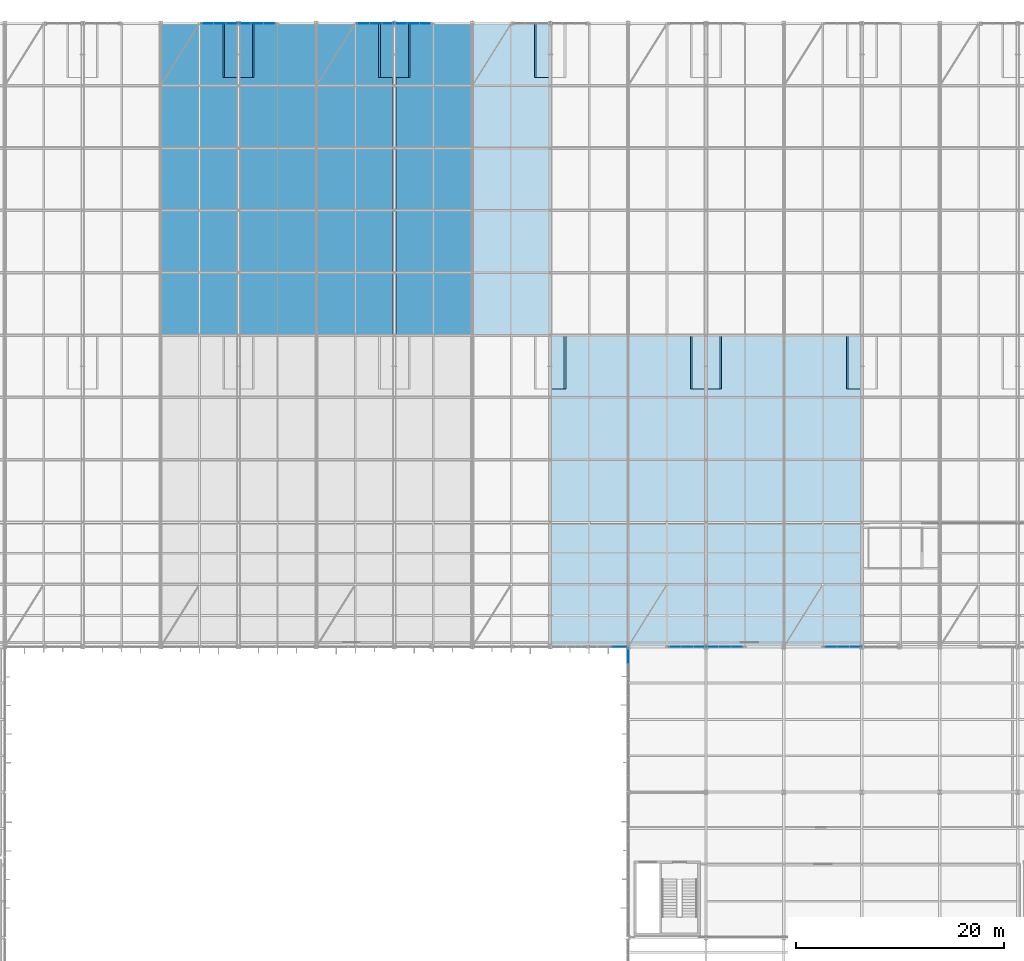
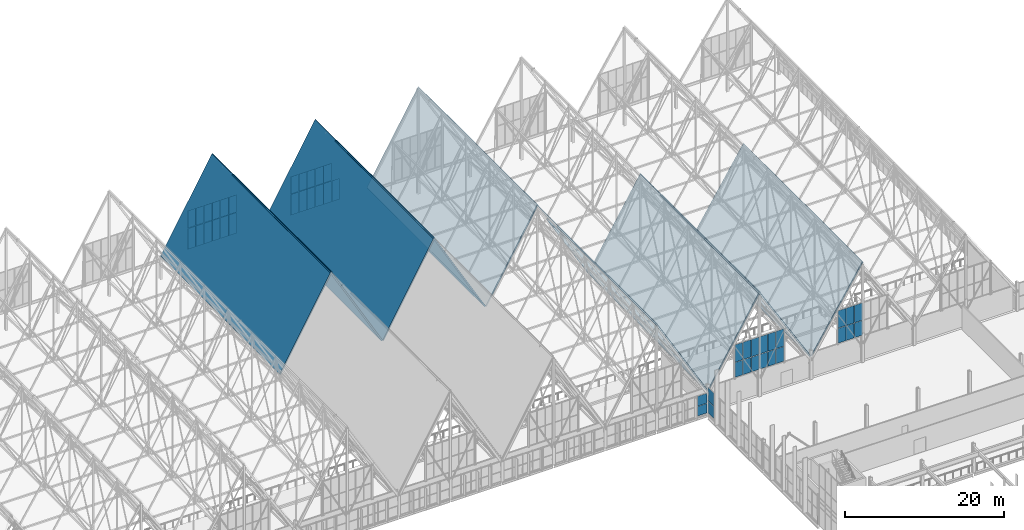
# One storey, part 279 of 324: 54 plates, 9 slabs, 6 elements without a shape of their own.
"""IFC4 building model written with IfcOpenShell, lengths in metres."""

from ifc_helpers import new_model, si_unit, direction, frame, origin, origin_2d, place, context, subcontext, project, spatial, polyline, rectangle, outline, extrude, material, layer, layer_set, type_object, element, aggregate, save


model = new_model("IFC4")

# Units and contexts
model_context = context("Model", 3, precision=1e-05, world=origin(), true_north=direction((0.0, 1.0)))
body_context = subcontext(model_context, "Body", "Model", "MODEL_VIEW")
ifc_project = project(units=[si_unit("LENGTHUNIT", "METRE"), si_unit("AREAUNIT", "SQUARE_METRE"), si_unit("VOLUMEUNIT", "CUBIC_METRE"), si_unit("PLANEANGLEUNIT", "RADIAN"), si_unit("MASSUNIT", "GRAM", prefix="KILO")], contexts=[model_context])

# Site, building, storey
site_placement = place(None, origin())
site = spatial("IfcSite", under=ifc_project, at=site_placement, CompositionType="ELEMENT")
building_placement = place(site_placement, origin())
building = spatial("IfcBuilding", under=site, at=building_placement, Name="Solvenia Promenade Tram Depot", CompositionType="ELEMENT")
storey_placement = place(building_placement, frame((0.0, 0.0, 4.5)))
storey = spatial("IfcBuildingStorey", under=building, at=storey_placement, Name="L01", CompositionType="ELEMENT", Elevation=4.5)

# Curtain wall, plates
ifc_material_1 = material(Name="Anodized aluminium AW-6063 T6", Category="aluminium")
ifc_layer_1 = layer(ifc_material_1, 0.159912109375, Name="Anodized aluminium AW-6063 T6", Category="aluminium")
ifc_layer_set_1 = layer_set([ifc_layer_1], Name="Anodized aluminium AW-6063 T6")
curtain_wall_type_1 = type_object("IfcCurtainWallType", Name="CW-Channel-1500", PredefinedType="NOTDEFINED", material=ifc_layer_set_1)
curtain_wall_1_placement = place(storey_placement, origin())
curtain_wall_1 = element("IfcCurtainWall", 1, at=curtain_wall_1_placement, inside=storey, type_object=curtain_wall_type_1, Name="Curtain Wall CW-V1S1-08", PredefinedType="NOTDEFINED")
ifc_material_2 = material(Name="Low-iron translucent U-profile channel glass", Category="glass")
ifc_layer_2 = layer(ifc_material_2, 0.028076171875, Name="Low-iron translucent U-profile channel glass", Category="glass")
ifc_layer_set_2 = layer_set([ifc_layer_2], Name="Low-iron translucent U-profile channel glass")
plate_type_1 = type_object("IfcPlateType", Name="CWP-Panel-1", PredefinedType="CURTAIN_PANEL", material=ifc_layer_set_2)
plate_1_placement = place(storey_placement, frame((104.173583984375, 66.0, 0.06494140625), z_axis=(0.0, 0.0, 1.0), x_axis=(1.0, 0.0, 0.0)))
plate_1 = element("IfcPlate", 2, at=plate_1_placement, type_object=plate_type_1, Name="CW-2 panel 5.1", PredefinedType="CURTAIN_PANEL", context=body_context, shape_type="SweptSolid", body=[
    extrude(rectangle(XDim=1.39306640625, YDim=0.028076171875, at=origin_2d()), origin(), (0.0, 0.0, 1.0), 1.452392578125),
])
plate_2_placement = place(storey_placement, frame((104.173583984375, 66.0, 1.58251953125), z_axis=(0.0, 0.0, 1.0), x_axis=(1.0, 0.0, 0.0)))
plate_2 = element("IfcPlate", 3, at=plate_2_placement, type_object=plate_type_1, Name="CW-2 panel 5.2", PredefinedType="CURTAIN_PANEL", context=body_context, shape_type="SweptSolid", body=[
    extrude(rectangle(XDim=1.39306640625, YDim=0.028076171875, at=origin_2d()), origin(), (0.0, 0.0, 1.0), 1.50244140625),
])
aggregate(curtain_wall_1, [plate_1, plate_2])

ifc_layer_3 = layer(ifc_material_1, 0.14990234375, Name="Anodized aluminium AW-6063 T6", Category="aluminium")
ifc_layer_set_3 = layer_set([ifc_layer_3], Name="Anodized aluminium AW-6063 T6")
curtain_wall_type_2 = type_object("IfcCurtainWallType", Name="CW-Gable-1200", PredefinedType="NOTDEFINED", material=ifc_layer_set_3)
curtain_wall_2_placement = place(storey_placement, origin())
curtain_wall_2 = element("IfcCurtainWall", 4, at=curtain_wall_2_placement, inside=storey, type_object=curtain_wall_type_2, Name="South Zigzag Gable 08 Peak Glazing", PredefinedType="NOTDEFINED")
plate_3_placement = place(storey_placement, frame((109.511962890625, 66.0, 4.10791015625), z_axis=(0.0, 0.0, 1.0), x_axis=(1.0, 0.0, 0.0)))
plate_3 = element("IfcPlate", 5, at=plate_3_placement, type_object=plate_type_1, Name="CW-3 panel 1.1", PredefinedType="CURTAIN_PANEL", context=body_context, shape_type="SweptSolid", body=[
    extrude(rectangle(XDim=1.1279296875, YDim=0.028076171875, at=origin_2d()), origin(), (0.0, 0.0, 1.0), 2.262939453125),
])
plate_4_placement = place(storey_placement, frame((109.511962890625, 66.0, 6.428955078125), z_axis=(0.0, 0.0, 1.0), x_axis=(1.0, 0.0, 0.0)))
plate_4 = element("IfcPlate", 6, at=plate_4_placement, type_object=plate_type_1, Name="CW-3 panel 1.2", PredefinedType="CURTAIN_PANEL", context=body_context, shape_type="SweptSolid", body=[
    extrude(rectangle(XDim=1.1279296875, YDim=0.028076171875, at=origin_2d()), origin(), (0.0, 0.0, 1.0), 2.6630859375),
])
plate_5_placement = place(storey_placement, frame((110.699951171875, 66.0, 4.10791015625), z_axis=(0.0, 0.0, 1.0), x_axis=(1.0, 0.0, 0.0)))
plate_5 = element("IfcPlate", 7, at=plate_5_placement, type_object=plate_type_1, Name="CW-3 panel 2.1", PredefinedType="CURTAIN_PANEL", context=body_context, shape_type="SweptSolid", body=[
    extrude(rectangle(XDim=1.152099609375, YDim=0.028076171875, at=origin_2d()), origin(), (0.0, 0.0, 1.0), 2.262939453125),
])
plate_6_placement = place(storey_placement, frame((110.699951171875, 66.0, 6.428955078125), z_axis=(0.0, 0.0, 1.0), x_axis=(1.0, 0.0, 0.0)))
plate_6 = element("IfcPlate", 8, at=plate_6_placement, type_object=plate_type_1, Name="CW-3 panel 2.2", PredefinedType="CURTAIN_PANEL", context=body_context, shape_type="SweptSolid", body=[
    extrude(rectangle(XDim=1.152099609375, YDim=0.028076171875, at=origin_2d()), origin(), (0.0, 0.0, 1.0), 2.6630859375),
])
plate_7_placement = place(storey_placement, frame((111.89990234375, 66.0, 4.10791015625), z_axis=(0.0, 0.0, 1.0), x_axis=(1.0, 0.0, 0.0)))
plate_7 = element("IfcPlate", 9, at=plate_7_placement, type_object=plate_type_1, Name="CW-3 panel 3.1", PredefinedType="CURTAIN_PANEL", context=body_context, shape_type="SweptSolid", body=[
    extrude(rectangle(XDim=1.152099609375, YDim=0.028076171875, at=origin_2d()), origin(), (0.0, 0.0, 1.0), 2.262939453125),
])
plate_8_placement = place(storey_placement, frame((111.89990234375, 66.0, 6.428955078125), z_axis=(0.0, 0.0, 1.0), x_axis=(1.0, 0.0, 0.0)))
plate_8 = element("IfcPlate", 10, at=plate_8_placement, type_object=plate_type_1, Name="CW-3 panel 3.2", PredefinedType="CURTAIN_PANEL", context=body_context, shape_type="SweptSolid", body=[
    extrude(rectangle(XDim=1.152099609375, YDim=0.028076171875, at=origin_2d()), origin(), (0.0, 0.0, 1.0), 2.6630859375),
])
plate_9_placement = place(storey_placement, frame((113.10009765625, 66.0, 4.10791015625), z_axis=(0.0, 0.0, 1.0), x_axis=(1.0, 0.0, 0.0)))
plate_9 = element("IfcPlate", 11, at=plate_9_placement, type_object=plate_type_1, Name="CW-3 panel 4.1", PredefinedType="CURTAIN_PANEL", context=body_context, shape_type="SweptSolid", body=[
    extrude(rectangle(XDim=1.152099609375, YDim=0.028076171875, at=origin_2d()), origin(), (0.0, 0.0, 1.0), 2.262939453125),
])
plate_10_placement = place(storey_placement, frame((113.10009765625, 66.0, 6.428955078125), z_axis=(0.0, 0.0, 1.0), x_axis=(1.0, 0.0, 0.0)))
plate_10 = element("IfcPlate", 12, at=plate_10_placement, type_object=plate_type_1, Name="CW-3 panel 4.2", PredefinedType="CURTAIN_PANEL", context=body_context, shape_type="SweptSolid", body=[
    extrude(rectangle(XDim=1.152099609375, YDim=0.028076171875, at=origin_2d()), origin(), (0.0, 0.0, 1.0), 2.6630859375),
])
plate_11_placement = place(storey_placement, frame((114.300048828125, 66.0, 4.10791015625), z_axis=(0.0, 0.0, 1.0), x_axis=(1.0, 0.0, 0.0)))
plate_11 = element("IfcPlate", 13, at=plate_11_placement, type_object=plate_type_1, Name="CW-3 panel 5.1", PredefinedType="CURTAIN_PANEL", context=body_context, shape_type="SweptSolid", body=[
    extrude(rectangle(XDim=1.152099609375, YDim=0.028076171875, at=origin_2d()), origin(), (0.0, 0.0, 1.0), 2.262939453125),
])
plate_12_placement = place(storey_placement, frame((114.300048828125, 66.0, 6.428955078125), z_axis=(0.0, 0.0, 1.0), x_axis=(1.0, 0.0, 0.0)))
plate_12 = element("IfcPlate", 14, at=plate_12_placement, type_object=plate_type_1, Name="CW-3 panel 5.2", PredefinedType="CURTAIN_PANEL", context=body_context, shape_type="SweptSolid", body=[
    extrude(rectangle(XDim=1.152099609375, YDim=0.028076171875, at=origin_2d()), origin(), (0.0, 0.0, 1.0), 2.6630859375),
])
plate_13_placement = place(storey_placement, frame((115.488037109375, 66.0, 4.10791015625), z_axis=(0.0, 0.0, 1.0), x_axis=(1.0, 0.0, 0.0)))
plate_13 = element("IfcPlate", 15, at=plate_13_placement, type_object=plate_type_1, Name="CW-3 panel 6.1", PredefinedType="CURTAIN_PANEL", context=body_context, shape_type="SweptSolid", body=[
    extrude(rectangle(XDim=1.1279296875, YDim=0.028076171875, at=origin_2d()), origin(), (0.0, 0.0, 1.0), 2.262939453125),
])
plate_14_placement = place(storey_placement, frame((115.488037109375, 66.0, 6.428955078125), z_axis=(0.0, 0.0, 1.0), x_axis=(1.0, 0.0, 0.0)))
plate_14 = element("IfcPlate", 16, at=plate_14_placement, type_object=plate_type_1, Name="CW-3 panel 6.2", PredefinedType="CURTAIN_PANEL", context=body_context, shape_type="SweptSolid", body=[
    extrude(rectangle(XDim=1.1279296875, YDim=0.028076171875, at=origin_2d()), origin(), (0.0, 0.0, 1.0), 2.6630859375),
])
aggregate(curtain_wall_2, [plate_3, plate_4, plate_5, plate_6, plate_7, plate_8, plate_9, plate_10, plate_11, plate_12, plate_13, plate_14])

curtain_wall_3_placement = place(storey_placement, origin())
curtain_wall_3 = element("IfcCurtainWall", 17, at=curtain_wall_3_placement, inside=storey, type_object=curtain_wall_type_2, Name="South Zigzag Gable 09 Peak Glazing", PredefinedType="NOTDEFINED")
plate_15_placement = place(storey_placement, frame((124.511962890625, 66.0, 4.10791015625), z_axis=(0.0, 0.0, 1.0), x_axis=(1.0, 0.0, 0.0)))
plate_15 = element("IfcPlate", 18, at=plate_15_placement, type_object=plate_type_1, Name="CW-3 panel 1.1", PredefinedType="CURTAIN_PANEL", context=body_context, shape_type="SweptSolid", body=[
    extrude(rectangle(XDim=1.1279296875, YDim=0.028076171875, at=origin_2d()), origin(), (0.0, 0.0, 1.0), 2.262939453125),
])
plate_16_placement = place(storey_placement, frame((124.511962890625, 66.0, 6.428955078125), z_axis=(0.0, 0.0, 1.0), x_axis=(1.0, 0.0, 0.0)))
plate_16 = element("IfcPlate", 19, at=plate_16_placement, type_object=plate_type_1, Name="CW-3 panel 1.2", PredefinedType="CURTAIN_PANEL", context=body_context, shape_type="SweptSolid", body=[
    extrude(rectangle(XDim=1.1279296875, YDim=0.028076171875, at=origin_2d()), origin(), (0.0, 0.0, 1.0), 2.6630859375),
])
plate_17_placement = place(storey_placement, frame((125.699951171875, 66.0, 4.10791015625), z_axis=(0.0, 0.0, 1.0), x_axis=(1.0, 0.0, 0.0)))
plate_17 = element("IfcPlate", 20, at=plate_17_placement, type_object=plate_type_1, Name="CW-3 panel 2.1", PredefinedType="CURTAIN_PANEL", context=body_context, shape_type="SweptSolid", body=[
    extrude(rectangle(XDim=1.152099609375, YDim=0.028076171875, at=origin_2d()), origin(), (0.0, 0.0, 1.0), 2.262939453125),
])
plate_18_placement = place(storey_placement, frame((125.699951171875, 66.0, 6.428955078125), z_axis=(0.0, 0.0, 1.0), x_axis=(1.0, 0.0, 0.0)))
plate_18 = element("IfcPlate", 21, at=plate_18_placement, type_object=plate_type_1, Name="CW-3 panel 2.2", PredefinedType="CURTAIN_PANEL", context=body_context, shape_type="SweptSolid", body=[
    extrude(rectangle(XDim=1.152099609375, YDim=0.028076171875, at=origin_2d()), origin(), (0.0, 0.0, 1.0), 2.6630859375),
])
plate_19_placement = place(storey_placement, frame((126.89990234375, 66.0, 4.10791015625), z_axis=(0.0, 0.0, 1.0), x_axis=(1.0, 0.0, 0.0)))
plate_19 = element("IfcPlate", 22, at=plate_19_placement, type_object=plate_type_1, Name="CW-3 panel 3.1", PredefinedType="CURTAIN_PANEL", context=body_context, shape_type="SweptSolid", body=[
    extrude(rectangle(XDim=1.152099609375, YDim=0.028076171875, at=origin_2d()), origin(), (0.0, 0.0, 1.0), 2.262939453125),
])
plate_20_placement = place(storey_placement, frame((126.89990234375, 66.0, 6.428955078125), z_axis=(0.0, 0.0, 1.0), x_axis=(1.0, 0.0, 0.0)))
plate_20 = element("IfcPlate", 23, at=plate_20_placement, type_object=plate_type_1, Name="CW-3 panel 3.2", PredefinedType="CURTAIN_PANEL", context=body_context, shape_type="SweptSolid", body=[
    extrude(rectangle(XDim=1.152099609375, YDim=0.028076171875, at=origin_2d()), origin(), (0.0, 0.0, 1.0), 2.6630859375),
])
aggregate(curtain_wall_3, [plate_15, plate_16, plate_17, plate_18, plate_19, plate_20])

curtain_wall_4_placement = place(storey_placement, origin())
curtain_wall_4 = element("IfcCurtainWall", 24, at=curtain_wall_4_placement, inside=storey, type_object=curtain_wall_type_2, Name="North Zigzag Gable 05 Peak Glazing", PredefinedType="NOTDEFINED")
plate_21_placement = place(storey_placement, frame((64.511962890625, 126.0, 3.157958984375), z_axis=(0.0, 0.0, 1.0), x_axis=(1.0, 0.0, 0.0)))
plate_21 = element("IfcPlate", 25, at=plate_21_placement, type_object=plate_type_1, Name="CW-3 panel 1.1", PredefinedType="CURTAIN_PANEL", context=body_context, shape_type="SweptSolid", body=[
    extrude(rectangle(XDim=1.1279296875, YDim=0.028076171875, at=origin_2d()), origin(), (0.0, 0.0, 1.0), 3.212890625),
])
plate_22_placement = place(storey_placement, frame((64.511962890625, 126.0, 6.428955078125), z_axis=(0.0, 0.0, 1.0), x_axis=(1.0, 0.0, 0.0)))
plate_22 = element("IfcPlate", 26, at=plate_22_placement, type_object=plate_type_1, Name="CW-3 panel 1.2", PredefinedType="CURTAIN_PANEL", context=body_context, shape_type="SweptSolid", body=[
    extrude(rectangle(XDim=1.1279296875, YDim=0.028076171875, at=origin_2d()), origin(), (0.0, 0.0, 1.0), 2.6630859375),
])
plate_23_placement = place(storey_placement, frame((65.699951171875, 126.0, 3.157958984375), z_axis=(0.0, 0.0, 1.0), x_axis=(1.0, 0.0, 0.0)))
plate_23 = element("IfcPlate", 27, at=plate_23_placement, type_object=plate_type_1, Name="CW-3 panel 2.1", PredefinedType="CURTAIN_PANEL", context=body_context, shape_type="SweptSolid", body=[
    extrude(rectangle(XDim=1.152099609375, YDim=0.028076171875, at=origin_2d()), origin(), (0.0, 0.0, 1.0), 3.212890625),
])
plate_24_placement = place(storey_placement, frame((65.699951171875, 126.0, 6.428955078125), z_axis=(0.0, 0.0, 1.0), x_axis=(1.0, 0.0, 0.0)))
plate_24 = element("IfcPlate", 28, at=plate_24_placement, type_object=plate_type_1, Name="CW-3 panel 2.2", PredefinedType="CURTAIN_PANEL", context=body_context, shape_type="SweptSolid", body=[
    extrude(rectangle(XDim=1.152099609375, YDim=0.028076171875, at=origin_2d()), origin(), (0.0, 0.0, 1.0), 2.6630859375),
])
plate_25_placement = place(storey_placement, frame((66.89990234375, 126.0, 3.157958984375), z_axis=(0.0, 0.0, 1.0), x_axis=(1.0, 0.0, 0.0)))
plate_25 = element("IfcPlate", 29, at=plate_25_placement, type_object=plate_type_1, Name="CW-3 panel 3.1", PredefinedType="CURTAIN_PANEL", context=body_context, shape_type="SweptSolid", body=[
    extrude(rectangle(XDim=1.152099609375, YDim=0.028076171875, at=origin_2d()), origin(), (0.0, 0.0, 1.0), 3.212890625),
])
plate_26_placement = place(storey_placement, frame((66.89990234375, 126.0, 6.428955078125), z_axis=(0.0, 0.0, 1.0), x_axis=(1.0, 0.0, 0.0)))
plate_26 = element("IfcPlate", 30, at=plate_26_placement, type_object=plate_type_1, Name="CW-3 panel 3.2", PredefinedType="CURTAIN_PANEL", context=body_context, shape_type="SweptSolid", body=[
    extrude(rectangle(XDim=1.152099609375, YDim=0.028076171875, at=origin_2d()), origin(), (0.0, 0.0, 1.0), 2.6630859375),
])
plate_27_placement = place(storey_placement, frame((68.10009765625, 126.0, 3.157958984375), z_axis=(0.0, 0.0, 1.0), x_axis=(1.0, 0.0, 0.0)))
plate_27 = element("IfcPlate", 31, at=plate_27_placement, type_object=plate_type_1, Name="CW-3 panel 4.1", PredefinedType="CURTAIN_PANEL", context=body_context, shape_type="SweptSolid", body=[
    extrude(rectangle(XDim=1.152099609375, YDim=0.028076171875, at=origin_2d()), origin(), (0.0, 0.0, 1.0), 3.212890625),
])
plate_28_placement = place(storey_placement, frame((68.10009765625, 126.0, 6.428955078125), z_axis=(0.0, 0.0, 1.0), x_axis=(1.0, 0.0, 0.0)))
plate_28 = element("IfcPlate", 32, at=plate_28_placement, type_object=plate_type_1, Name="CW-3 panel 4.2", PredefinedType="CURTAIN_PANEL", context=body_context, shape_type="SweptSolid", body=[
    extrude(rectangle(XDim=1.152099609375, YDim=0.028076171875, at=origin_2d()), origin(), (0.0, 0.0, 1.0), 2.6630859375),
])
plate_29_placement = place(storey_placement, frame((69.300048828125, 126.0, 3.157958984375), z_axis=(0.0, 0.0, 1.0), x_axis=(1.0, 0.0, 0.0)))
plate_29 = element("IfcPlate", 33, at=plate_29_placement, type_object=plate_type_1, Name="CW-3 panel 5.1", PredefinedType="CURTAIN_PANEL", context=body_context, shape_type="SweptSolid", body=[
    extrude(rectangle(XDim=1.152099609375, YDim=0.028076171875, at=origin_2d()), origin(), (0.0, 0.0, 1.0), 3.212890625),
])
plate_30_placement = place(storey_placement, frame((69.300048828125, 126.0, 6.428955078125), z_axis=(0.0, 0.0, 1.0), x_axis=(1.0, 0.0, 0.0)))
plate_30 = element("IfcPlate", 34, at=plate_30_placement, type_object=plate_type_1, Name="CW-3 panel 5.2", PredefinedType="CURTAIN_PANEL", context=body_context, shape_type="SweptSolid", body=[
    extrude(rectangle(XDim=1.152099609375, YDim=0.028076171875, at=origin_2d()), origin(), (0.0, 0.0, 1.0), 2.6630859375),
])
plate_31_placement = place(storey_placement, frame((70.488037109375, 126.0, 3.157958984375), z_axis=(0.0, 0.0, 1.0), x_axis=(1.0, 0.0, 0.0)))
plate_31 = element("IfcPlate", 35, at=plate_31_placement, type_object=plate_type_1, Name="CW-3 panel 6.1", PredefinedType="CURTAIN_PANEL", context=body_context, shape_type="SweptSolid", body=[
    extrude(rectangle(XDim=1.1279296875, YDim=0.028076171875, at=origin_2d()), origin(), (0.0, 0.0, 1.0), 3.212890625),
])
plate_32_placement = place(storey_placement, frame((70.488037109375, 126.0, 6.428955078125), z_axis=(0.0, 0.0, 1.0), x_axis=(1.0, 0.0, 0.0)))
plate_32 = element("IfcPlate", 36, at=plate_32_placement, type_object=plate_type_1, Name="CW-3 panel 6.2", PredefinedType="CURTAIN_PANEL", context=body_context, shape_type="SweptSolid", body=[
    extrude(rectangle(XDim=1.1279296875, YDim=0.028076171875, at=origin_2d()), origin(), (0.0, 0.0, 1.0), 2.6630859375),
])
aggregate(curtain_wall_4, [plate_21, plate_22, plate_23, plate_24, plate_25, plate_26, plate_27, plate_28, plate_29, plate_30, plate_31, plate_32])

curtain_wall_5_placement = place(storey_placement, origin())
curtain_wall_5 = element("IfcCurtainWall", 37, at=curtain_wall_5_placement, inside=storey, type_object=curtain_wall_type_2, Name="North Zigzag Gable 06 Peak Glazing", PredefinedType="NOTDEFINED")
plate_33_placement = place(storey_placement, frame((79.511962890625, 126.0, 3.157958984375), z_axis=(0.0, 0.0, 1.0), x_axis=(1.0, 0.0, 0.0)))
plate_33 = element("IfcPlate", 38, at=plate_33_placement, type_object=plate_type_1, Name="CW-3 panel 1.1", PredefinedType="CURTAIN_PANEL", context=body_context, shape_type="SweptSolid", body=[
    extrude(rectangle(XDim=1.1279296875, YDim=0.028076171875, at=origin_2d()), origin(), (0.0, 0.0, 1.0), 3.212890625),
])
plate_34_placement = place(storey_placement, frame((79.511962890625, 126.0, 6.428955078125), z_axis=(0.0, 0.0, 1.0), x_axis=(1.0, 0.0, 0.0)))
plate_34 = element("IfcPlate", 39, at=plate_34_placement, type_object=plate_type_1, Name="CW-3 panel 1.2", PredefinedType="CURTAIN_PANEL", context=body_context, shape_type="SweptSolid", body=[
    extrude(rectangle(XDim=1.1279296875, YDim=0.028076171875, at=origin_2d()), origin(), (0.0, 0.0, 1.0), 2.6630859375),
])
plate_35_placement = place(storey_placement, frame((80.699951171875, 126.0, 3.157958984375), z_axis=(0.0, 0.0, 1.0), x_axis=(1.0, 0.0, 0.0)))
plate_35 = element("IfcPlate", 40, at=plate_35_placement, type_object=plate_type_1, Name="CW-3 panel 2.1", PredefinedType="CURTAIN_PANEL", context=body_context, shape_type="SweptSolid", body=[
    extrude(rectangle(XDim=1.152099609375, YDim=0.028076171875, at=origin_2d()), origin(), (0.0, 0.0, 1.0), 3.212890625),
])
plate_36_placement = place(storey_placement, frame((80.699951171875, 126.0, 6.428955078125), z_axis=(0.0, 0.0, 1.0), x_axis=(1.0, 0.0, 0.0)))
plate_36 = element("IfcPlate", 41, at=plate_36_placement, type_object=plate_type_1, Name="CW-3 panel 2.2", PredefinedType="CURTAIN_PANEL", context=body_context, shape_type="SweptSolid", body=[
    extrude(rectangle(XDim=1.152099609375, YDim=0.028076171875, at=origin_2d()), origin(), (0.0, 0.0, 1.0), 2.6630859375),
])
plate_37_placement = place(storey_placement, frame((81.89990234375, 126.0, 3.157958984375), z_axis=(0.0, 0.0, 1.0), x_axis=(1.0, 0.0, 0.0)))
plate_37 = element("IfcPlate", 42, at=plate_37_placement, type_object=plate_type_1, Name="CW-3 panel 3.1", PredefinedType="CURTAIN_PANEL", context=body_context, shape_type="SweptSolid", body=[
    extrude(rectangle(XDim=1.152099609375, YDim=0.028076171875, at=origin_2d()), origin(), (0.0, 0.0, 1.0), 3.212890625),
])
plate_38_placement = place(storey_placement, frame((81.89990234375, 126.0, 6.428955078125), z_axis=(0.0, 0.0, 1.0), x_axis=(1.0, 0.0, 0.0)))
plate_38 = element("IfcPlate", 43, at=plate_38_placement, type_object=plate_type_1, Name="CW-3 panel 3.2", PredefinedType="CURTAIN_PANEL", context=body_context, shape_type="SweptSolid", body=[
    extrude(rectangle(XDim=1.152099609375, YDim=0.028076171875, at=origin_2d()), origin(), (0.0, 0.0, 1.0), 2.6630859375),
])
plate_39_placement = place(storey_placement, frame((83.10009765625, 126.0, 3.157958984375), z_axis=(0.0, 0.0, 1.0), x_axis=(1.0, 0.0, 0.0)))
plate_39 = element("IfcPlate", 44, at=plate_39_placement, type_object=plate_type_1, Name="CW-3 panel 4.1", PredefinedType="CURTAIN_PANEL", context=body_context, shape_type="SweptSolid", body=[
    extrude(rectangle(XDim=1.152099609375, YDim=0.028076171875, at=origin_2d()), origin(), (0.0, 0.0, 1.0), 3.212890625),
])
plate_40_placement = place(storey_placement, frame((83.10009765625, 126.0, 6.428955078125), z_axis=(0.0, 0.0, 1.0), x_axis=(1.0, 0.0, 0.0)))
plate_40 = element("IfcPlate", 45, at=plate_40_placement, type_object=plate_type_1, Name="CW-3 panel 4.2", PredefinedType="CURTAIN_PANEL", context=body_context, shape_type="SweptSolid", body=[
    extrude(rectangle(XDim=1.152099609375, YDim=0.028076171875, at=origin_2d()), origin(), (0.0, 0.0, 1.0), 2.6630859375),
])
plate_41_placement = place(storey_placement, frame((84.300048828125, 126.0, 3.157958984375), z_axis=(0.0, 0.0, 1.0), x_axis=(1.0, 0.0, 0.0)))
plate_41 = element("IfcPlate", 46, at=plate_41_placement, type_object=plate_type_1, Name="CW-3 panel 5.1", PredefinedType="CURTAIN_PANEL", context=body_context, shape_type="SweptSolid", body=[
    extrude(rectangle(XDim=1.152099609375, YDim=0.028076171875, at=origin_2d()), origin(), (0.0, 0.0, 1.0), 3.212890625),
])
plate_42_placement = place(storey_placement, frame((84.300048828125, 126.0, 6.428955078125), z_axis=(0.0, 0.0, 1.0), x_axis=(1.0, 0.0, 0.0)))
plate_42 = element("IfcPlate", 47, at=plate_42_placement, type_object=plate_type_1, Name="CW-3 panel 5.2", PredefinedType="CURTAIN_PANEL", context=body_context, shape_type="SweptSolid", body=[
    extrude(rectangle(XDim=1.152099609375, YDim=0.028076171875, at=origin_2d()), origin(), (0.0, 0.0, 1.0), 2.6630859375),
])
plate_43_placement = place(storey_placement, frame((85.488037109375, 126.0, 3.157958984375), z_axis=(0.0, 0.0, 1.0), x_axis=(1.0, 0.0, 0.0)))
plate_43 = element("IfcPlate", 48, at=plate_43_placement, type_object=plate_type_1, Name="CW-3 panel 6.1", PredefinedType="CURTAIN_PANEL", context=body_context, shape_type="SweptSolid", body=[
    extrude(rectangle(XDim=1.1279296875, YDim=0.028076171875, at=origin_2d()), origin(), (0.0, 0.0, 1.0), 3.212890625),
])
aggregate(curtain_wall_5, [plate_33, plate_34, plate_35, plate_36, plate_37, plate_38, plate_39, plate_40, plate_41, plate_42, plate_43])

ifc_layer_4 = layer(ifc_material_1, 0.14990234375, Name="Anodized aluminium AW-6063 T6", Category="aluminium")
ifc_layer_set_4 = layer_set([ifc_layer_4], Name="Anodized aluminium AW-6063 T6")
curtain_wall_type_3 = type_object("IfcCurtainWallType", Name="CW-Court-1500", PredefinedType="NOTDEFINED", material=ifc_layer_set_4)
curtain_wall_6_placement = place(storey_placement, origin())
curtain_wall_6 = element("IfcCurtainWall", 49, at=curtain_wall_6_placement, inside=storey, type_object=curtain_wall_type_3, Name="Curtain Wall CW-V2W-L1-2", PredefinedType="NOTDEFINED")
ifc_material_3 = material(Name="Double low-e argon insulated glass", Category="glass")
ifc_layer_5 = layer(ifc_material_3, 0.031982421875, Name="Double low-e argon insulated glass", Category="glass")
ifc_layer_set_5 = layer_set([ifc_layer_5], Name="Double low-e argon insulated glass")
plate_type_2 = type_object("IfcPlateType", Name="CWP-Panel-2", PredefinedType="CURTAIN_PANEL", material=ifc_layer_set_5)
plate_44_placement = place(storey_placement, frame((105.0, 65.138671875, 0.06494140625), z_axis=(0.0, 0.0, 1.0), x_axis=(0.0, 1.0, 0.0)))
plate_44 = element("IfcPlate", 50, at=plate_44_placement, type_object=plate_type_2, Name="CW-5 panel 9.1", PredefinedType="CURTAIN_PANEL", context=body_context, shape_type="SweptSolid", body=[
    extrude(rectangle(XDim=1.462890625, YDim=0.031982421875, at=origin_2d()), origin(), (0.0, 0.0, 1.0), 1.902587890625),
])
plate_45_placement = place(storey_placement, frame((105.0, 65.138671875, 2.03271484375), z_axis=(0.0, 0.0, 1.0), x_axis=(0.0, 1.0, 0.0)))
plate_45 = element("IfcPlate", 51, at=plate_45_placement, type_object=plate_type_2, Name="CW-5 panel 9.2", PredefinedType="CURTAIN_PANEL", context=body_context, shape_type="SweptSolid", body=[
    extrude(rectangle(XDim=1.462890625, YDim=0.031982421875, at=origin_2d()), origin(), (0.0, 0.0, 1.0), 1.952392578125),
])
aggregate(curtain_wall_6, [plate_44, plate_45])

# Plates
ifc_material_4 = material(Name="Translucent multi-wall insulated polycarbonate cassette", Category="other")
ifc_layer_6 = layer(ifc_material_4, 0.0419921875, Name="Translucent multi-wall insulated polycarbonate cassette", Category="other")
ifc_layer_set_6 = layer_set([ifc_layer_6], Name="Translucent multi-wall insulated polycarbonate cassette")
plate_type_3 = type_object("IfcPlateType", Name="DaylightCassette-1", PredefinedType="SHEET", material=ifc_layer_set_6)
plate_46_placement = place(storey_placement, frame((97.5, 66.0, 16.47998046875), z_axis=(0.865148214095, 0.0, 0.501516268578), x_axis=(0.0, 1.0, 0.0)))
element("IfcPlate", 52, at=plate_46_placement, inside=storey, type_object=plate_type_3, Name="Insulated Daylight Gable 07 East Skylight Cladding 1", PredefinedType="SHEET", context=body_context, shape_type="SweptSolid", body=[
    extrude(outline(polyline([(0.0, 0.0), (30.0, 0.0), (30.0, -14.954649469839215), (0.0, -14.954649469839215), (0.0, 0.0)])), origin(), (0.0, 0.0, -1.0), 0.0419921875),
])
for number, where, z_axis, x_axis, name in (
    (53, (105.0, 66.0, 3.5419921875), (-0.857439712718, 0.0, 0.514584433357), (0.0, 1.0, 0.0), "Insulated Daylight Gable 08 West Skylight Cladding 1"),
    (54, (112.5, 66.0, 16.0390625), (0.857439712718, 0.0, 0.514584433357), (0.0, 1.0, 0.0), "Insulated Daylight Gable 08 East Skylight Cladding 1"),
):
    element("IfcPlate", number, at=place(storey_placement, frame(where, z_axis=z_axis, x_axis=x_axis)), inside=storey, type_object=plate_type_3, Name=name, PredefinedType="SHEET", context=body_context, shape_type="SweptSolid", body=[
        extrude(outline(polyline([(0.0, 0.0), (30.0, 0.0), (30.0, -14.574867628749457), (0.0, -14.574867628749457), (0.0, 0.0)])), origin(), (0.0, 0.0, -1.0), 0.0419921875),
    ])
plate_47_placement = place(storey_placement, frame((120.0, 66.0, 3.5419921875), z_axis=(-0.845790850581, 0.0, 0.533514608116), x_axis=(0.0, 1.0, 0.0)))
element("IfcPlate", 55, at=plate_47_placement, inside=storey, type_object=plate_type_3, Name="Insulated Daylight Gable 09 West Skylight Cladding 1", PredefinedType="SHEET", context=body_context, shape_type="SweptSolid", body=[
    extrude(outline(polyline([(0.0, 0.0), (30.0, 0.0), (30.0, -14.057721917841167), (0.0, -14.057721917841167), (0.0, 0.0)])), origin(), (0.0, 0.0, -1.0), 0.0419921875),
])
for number, where, z_axis, x_axis, name in (
    (56, (60.0, 96.0, 3.5419921875), (-0.868971806946, 0.0, 0.494861595532), (0.0, 1.0, 0.0), "Insulated Daylight Gable 05 West Skylight Cladding 2"),
    (57, (67.5, 96.0, 16.7119140625), (0.868971806946, 0.0, 0.494861595532), (0.0, 1.0, 0.0), "Insulated Daylight Gable 05 East Skylight Cladding 2"),
    (58, (75.0, 96.0, 3.5419921875), (-0.868971806946, 0.0, 0.494861595532), (0.0, 1.0, 0.0), "Insulated Daylight Gable 06 West Skylight Cladding 2"),
    (59, (82.5, 96.0, 16.7119140625), (0.868971806946, 0.0, 0.494861595532), (0.0, 1.0, 0.0), "Insulated Daylight Gable 06 East Skylight Cladding 2"),
):
    element("IfcPlate", number, at=place(storey_placement, frame(where, z_axis=z_axis, x_axis=x_axis)), inside=storey, type_object=plate_type_3, Name=name, PredefinedType="SHEET", context=body_context, shape_type="SweptSolid", body=[
        extrude(outline(polyline([(0.0, 0.0), (30.0, 0.0), (30.0, -15.155752775550395), (0.0, -15.155752775550395), (0.0, 0.0)])), origin(), (0.0, 0.0, -1.0), 0.0419921875),
    ])
plate_48_placement = place(storey_placement, frame((90.0, 96.0, 3.5419921875), z_axis=(-0.865148214095, 0.0, 0.501516268578), x_axis=(0.0, 1.0, 0.0)))
element("IfcPlate", 60, at=plate_48_placement, inside=storey, type_object=plate_type_3, Name="Insulated Daylight Gable 07 West Skylight Cladding 2", PredefinedType="SHEET", context=body_context, shape_type="SweptSolid", body=[
    extrude(outline(polyline([(0.0, 0.0), (30.0, 0.0), (30.0, -14.954649469839215), (0.0, -14.954649469839215), (0.0, 0.0)])), origin(), (0.0, 0.0, -1.0), 0.0419921875),
])

# Slabs
ifc_material_5 = material(Name="Concrete C28/35", Category="concrete")
ifc_layer_7 = layer(ifc_material_5, 0.179931640625, Name="Concrete C28/35", Category="concrete")
ifc_layer_set_7 = layer_set([ifc_layer_7], Name="Concrete C28/35")
slab_type = type_object("IfcSlabType", Name="Slab-Valley-180", PredefinedType="ROOF", material=ifc_layer_set_7)
slab_1_placement = place(storey_placement, frame((97.5, 66.0, 16.43798828125), z_axis=(0.865148066638, 4.22792e-07, 0.50151652295), x_axis=(-3.65778e-07, 1.0, -2.12037e-07)))
element("IfcSlab", 61, at=slab_1_placement, inside=storey, type_object=slab_type, Name="Zigzag Gable 07 East Roof Deck 1", PredefinedType="ROOF", context=body_context, shape_type="SweptSolid", body=[
    extrude(outline(polyline([(0.0, 0.0), (24.800048828122783, 0.0), (24.80004882813351, -2.990972137525655), (30.000000000008043, -2.990972137525655), (29.99999999999918, -14.954649469838568), (1.8590130956260074e-12, -14.954649469838568), (0.0, 0.0)])), origin(), (0.0, 0.0, -1.0), 0.179931640625),
])
slab_2_placement = place(storey_placement, frame((105.0, 66.0, 3.5), z_axis=(-0.857439394144, 8.67618e-07, 0.514584964189), x_axis=(7.4393e-07, 1.0, -4.46463e-07)))
element("IfcSlab", 62, at=slab_2_placement, inside=storey, type_object=slab_type, Name="Zigzag Gable 08 West Roof Deck 1", PredefinedType="ROOF", context=body_context, shape_type="SweptSolid", body=[
    extrude(outline(polyline([(0.0, 0.0), (29.99999999998871, -3.1763735522036263e-21), (30.000000000026045, -11.659810368681498), (24.800048828153002, -11.659810368681498), (24.80004882810784, -14.574867628746667), (-7.828636589325992e-12, -14.574867628746667), (0.0, 0.0)])), origin(), (0.0, 0.0, -1.0), 0.179931640625),
])
slab_3_placement = place(storey_placement, frame((112.5, 66.0, 15.9970703125), z_axis=(0.857439394144, 8.67618e-07, 0.514584964189), x_axis=(-7.4393e-07, 1.0, -4.46463e-07)))
element("IfcSlab", 63, at=slab_3_placement, inside=storey, type_object=slab_type, Name="Zigzag Gable 08 East Roof Deck 1", PredefinedType="ROOF", context=body_context, shape_type="SweptSolid", body=[
    extrude(outline(polyline([(0.0, 0.0), (24.800048828115667, 2.6258073063671595e-21), (24.800048828160833, -2.9150572600651676), (30.000000000033875, -2.9150572600651676), (29.999999999996536, -14.574867628746667), (7.828636589325992e-12, -14.574867628746667), (0.0, 0.0)])), origin(), (0.0, 0.0, -1.0), 0.179931640625),
])
slab_4_placement = place(storey_placement, frame((120.0, 66.0, 3.5), z_axis=(-0.845791028101, -4.49767e-07, 0.53351432669), x_axis=(-3.80409e-07, 1.0, 2.39957e-07)))
element("IfcSlab", 64, at=slab_4_placement, inside=storey, type_object=slab_type, Name="Zigzag Gable 09 West Roof Deck 1", PredefinedType="ROOF", context=body_context, shape_type="SweptSolid", body=[
    extrude(outline(polyline([(0.0, 0.0), (29.999999999996966, -7.940933880509066e-22), (30.000000000007, -11.246218832662356), (24.800048828132525, -11.246218832662356), (24.800048828120385, -14.05772191784039), (-2.1037984455545358e-12, -14.05772191784039), (0.0, 0.0)])), origin(), (0.0, 0.0, -1.0), 0.179931640625),
])
slab_5_placement = place(storey_placement, frame((60.0, 96.0, 3.5), z_axis=(-0.868971665282, 4.17182e-07, 0.494861844293), x_axis=(3.62519e-07, 1.0, -2.06447e-07)))
element("IfcSlab", 65, at=slab_5_placement, inside=storey, type_object=slab_type, Name="Zigzag Gable 05 West Roof Deck 2", PredefinedType="ROOF", context=body_context, shape_type="SweptSolid", body=[
    extrude(outline(polyline([(0.0, 0.0), (29.99999999999739, 0.0), (30.000000000006022, -12.124559790182726), (24.800048828131473, -12.124559790182726), (24.800048828121028, -15.155752775549775), (-1.8100055065624484e-12, -15.155752775549775), (0.0, 0.0)])), origin(), (0.0, 0.0, -1.0), 0.179931640625),
])
slab_6_placement = place(storey_placement, frame((67.5, 96.0, 16.669921875), z_axis=(0.868971665282, 4.17182e-07, 0.494861844293), x_axis=(-3.62519e-07, 1.0, -2.06447e-07)))
element("IfcSlab", 66, at=slab_6_placement, inside=storey, type_object=slab_type, Name="Zigzag Gable 05 East Roof Deck 2", PredefinedType="ROOF", context=body_context, shape_type="SweptSolid", body=[
    extrude(outline(polyline([(0.0, 0.0), (24.80004882812284, 0.0), (24.80004882813328, -3.031192985367049), (30.00000000000783, -3.031192985367049), (29.9999999999992, -15.155752775549775), (1.8100055065624484e-12, -15.155752775549775), (0.0, 0.0)])), origin(), (0.0, 0.0, -1.0), 0.179931640625),
])
slab_7_placement = place(storey_placement, frame((75.0, 96.0, 3.5), z_axis=(-0.868971665282, 4.17182e-07, 0.494861844293), x_axis=(3.62519e-07, 1.0, -2.06447e-07)))
element("IfcSlab", 67, at=slab_7_placement, inside=storey, type_object=slab_type, Name="Zigzag Gable 06 West Roof Deck 2", PredefinedType="ROOF", context=body_context, shape_type="SweptSolid", body=[
    extrude(outline(polyline([(0.0, 0.0), (29.99999999999739, 0.0), (30.000000000006022, -12.124559790182726), (24.800048828131473, -12.124559790182726), (24.800048828121028, -15.155752775549775), (-1.8100055065624484e-12, -15.155752775549775), (0.0, 0.0)])), origin(), (0.0, 0.0, -1.0), 0.179931640625),
])
slab_8_placement = place(storey_placement, frame((82.5, 96.0, 16.669921875), z_axis=(0.868971665282, 4.17182e-07, 0.494861844293), x_axis=(-3.62519e-07, 1.0, -2.06447e-07)))
element("IfcSlab", 68, at=slab_8_placement, inside=storey, type_object=slab_type, Name="Zigzag Gable 06 East Roof Deck 2", PredefinedType="ROOF", context=body_context, shape_type="SweptSolid", body=[
    extrude(outline(polyline([(0.0, 0.0), (24.80004882812284, 0.0), (24.80004882813328, -3.031192985367049), (30.00000000000783, -3.031192985367049), (29.9999999999992, -15.155752775549775), (1.8100055065624484e-12, -15.155752775549775), (0.0, 0.0)])), origin(), (0.0, 0.0, -1.0), 0.179931640625),
])
slab_9_placement = place(storey_placement, frame((90.0, 96.0, 3.5), z_axis=(-0.865148066638, 4.22792e-07, 0.50151652295), x_axis=(3.65778e-07, 1.0, -2.12037e-07)))
element("IfcSlab", 69, at=slab_9_placement, inside=storey, type_object=slab_type, Name="Zigzag Gable 07 West Roof Deck 2", PredefinedType="ROOF", context=body_context, shape_type="SweptSolid", body=[
    extrude(outline(polyline([(0.0, 0.0), (29.999999999997318, 0.0), (30.00000000000618, -11.963677332312916), (24.800048828131647, -11.963677332312916), (24.80004882812092, -14.954649469838568), (-1.8590130956260074e-12, -14.954649469838568), (0.0, 0.0)])), origin(), (0.0, 0.0, -1.0), 0.179931640625),
])

save(model, "model.ifc")
